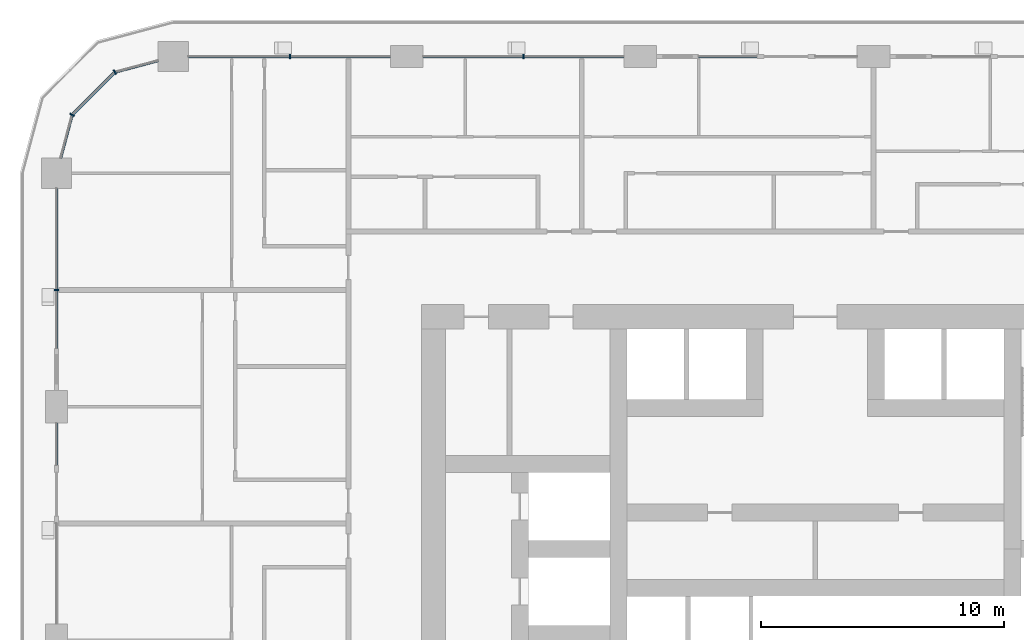
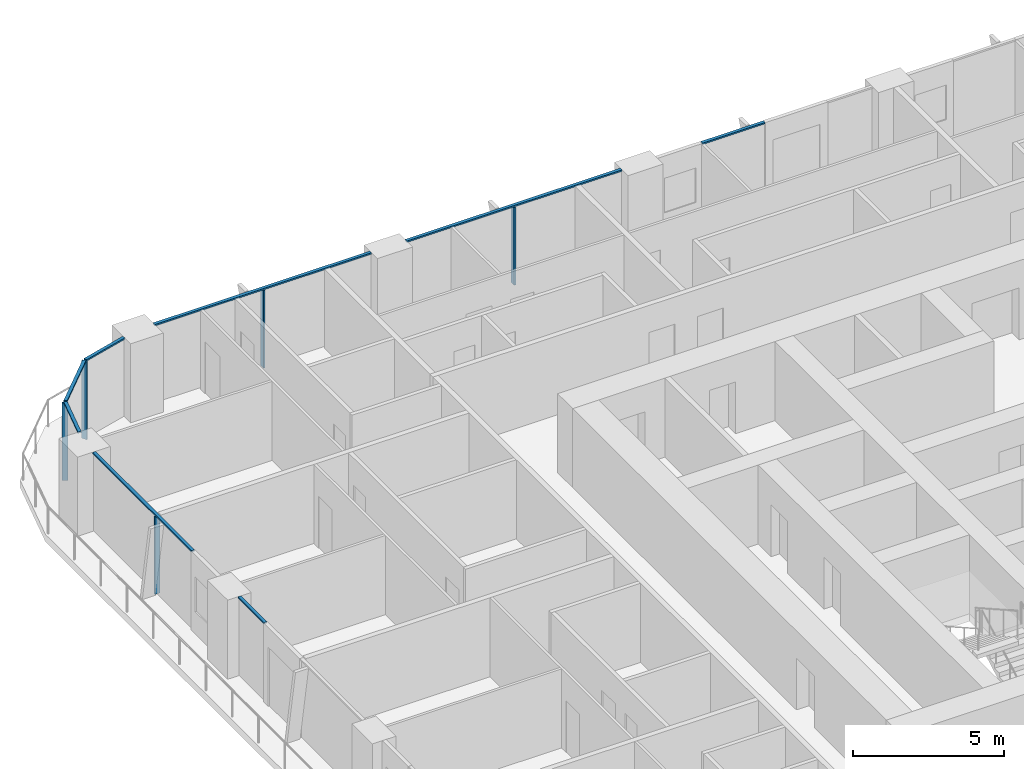
# One storey, part 5 of 21: 13 members, 6 elements without a shape of their own.
"""IFC4 building model written with IfcOpenShell, lengths in metres."""

from ifc_helpers import new_model, si_unit, direction, frame, origin, origin_2d, place, context, subcontext, project, spatial, rectangle, extrude, material, layer, layer_set, material_profile, profile_set, type_object, element, aggregate, save


model = new_model("IFC4")

# Units and contexts
model_context = context("Model", 3, precision=1e-05, world=origin(), true_north=direction((0.0, 1.0)))
body_context = subcontext(model_context, "Body", "Model", "MODEL_VIEW")
ifc_project = project(units=[si_unit("LENGTHUNIT", "METRE"), si_unit("AREAUNIT", "SQUARE_METRE"), si_unit("VOLUMEUNIT", "CUBIC_METRE"), si_unit("PLANEANGLEUNIT", "RADIAN"), si_unit("MASSUNIT", "GRAM", prefix="KILO")], contexts=[model_context])

# Site, building, storey
site_placement = place(None, origin())
site = spatial("IfcSite", under=ifc_project, at=site_placement, CompositionType="ELEMENT")
building_placement = place(site_placement, origin())
building = spatial("IfcBuilding", under=site, at=building_placement, Name="Madar Terraces", CompositionType="ELEMENT")
storey_placement = place(building_placement, frame((0.0, 0.0, 39.89990234375)))
storey = spatial("IfcBuildingStorey", under=building, at=storey_placement, Name="L09", CompositionType="ELEMENT", Elevation=39.89990234375)

# Curtain wall, member
ifc_material_1 = material(Name="Glass, ceramic frit dark grey, with black aluminium frame", Category="aluminium")
ifc_layer = layer(ifc_material_1, 0.199951171875)
ifc_layer_set = layer_set([ifc_layer], Name="Facade curtain wall, fritted glass")
curtain_wall_type = type_object("IfcCurtainWallType", Name="Facade curtain wall, fritted glass", PredefinedType="NOTDEFINED", material=ifc_layer_set)
curtain_wall_1_placement = place(storey_placement, origin())
curtain_wall_1 = element("IfcCurtainWall", 1, at=curtain_wall_1_placement, inside=storey, type_object=curtain_wall_type, Name="Outer skin curtain wall north bay 4", PredefinedType="NOTDEFINED")
ifc_material_2 = material(Name="Aluminium, black anodised", Category="aluminium")
ifc_material_profile_1 = material_profile(ifc_material_2, rectangle(XDim=0.199951171875, YDim=0.06005859375, at=origin_2d()), Name="Facade mullion 60x200")
ifc_profile_set_1 = profile_set([ifc_material_profile_1], Name="Aluminium, black anodised")
member_type_1 = type_object("IfcMemberType", Name="Facade mullion 60x200", PredefinedType="MULLION", material=ifc_profile_set_1)
member_1_placement = place(storey_placement, frame((19.199951171875, 48.0, 0.0), z_axis=(0.0, 0.0, 1.0), x_axis=(0.0, -1.0, 0.0)))
member_1 = element("IfcMember", 2, at=member_1_placement, type_object=member_type_1, Name="Mullion 1", PredefinedType="MULLION", context=body_context, shape_type="SweptSolid", body=[
    extrude(rectangle(XDim=0.199951171875, YDim=0.06005859375, at=origin_2d()), origin(), (0.0, 0.0, 1.0), 3.14013671875),
])

curtain_wall_2_placement = place(storey_placement, origin())
curtain_wall_2 = element("IfcCurtainWall", 3, at=curtain_wall_2_placement, inside=storey, type_object=curtain_wall_type, Name="Outer skin curtain wall north bay 5", PredefinedType="NOTDEFINED")
member_2_placement = place(storey_placement, frame((9.60009765625, 48.0, 0.0), z_axis=(0.0, 0.0, 1.0), x_axis=(0.0, -1.0, 0.0)))
member_2 = element("IfcMember", 4, at=member_2_placement, type_object=member_type_1, Name="Mullion 1", PredefinedType="MULLION", context=body_context, shape_type="SweptSolid", body=[
    extrude(rectangle(XDim=0.199951171875, YDim=0.06005859375, at=origin_2d()), origin(), (0.0, 0.0, 1.0), 3.14013671875),
])

curtain_wall_3_placement = place(storey_placement, origin())
curtain_wall_3 = element("IfcCurtainWall", 5, at=curtain_wall_3_placement, inside=storey, type_object=curtain_wall_type, Name="Outer skin curtain wall west bay 1", PredefinedType="NOTDEFINED")
member_3_placement = place(storey_placement, frame((0.0, 38.39990234375, 0.0), z_axis=(0.0, 0.0, 1.0), x_axis=(1.0, 0.0, 0.0)))
member_3 = element("IfcMember", 6, at=member_3_placement, type_object=member_type_1, Name="Mullion 1", PredefinedType="MULLION", context=body_context, shape_type="SweptSolid", body=[
    extrude(rectangle(XDim=0.199951171875, YDim=0.06005859375, at=origin_2d()), origin(), (0.0, 0.0, 1.0), 3.14013671875),
])

# Curtain wall, members
curtain_wall_4_placement = place(storey_placement, origin())
curtain_wall_4 = element("IfcCurtainWall", 7, at=curtain_wall_4_placement, inside=storey, type_object=curtain_wall_type, Name="Outer skin curtain wall north-west corner", PredefinedType="NOTDEFINED")
member_4_placement = place(storey_placement, frame((2.39990234375, 47.35693359375, 0.0), z_axis=(0.0, 0.0, 1.0), x_axis=(0.499999989586, -0.866025409797, 0.0)))
member_4 = element("IfcMember", 8, at=member_4_placement, type_object=member_type_1, Name="Mullion 1", PredefinedType="MULLION", context=body_context, shape_type="SweptSolid", body=[
    extrude(rectangle(XDim=0.199951171875, YDim=0.06005859375, at=origin_2d()), origin(), (0.0, 0.0, 1.0), 3.14013671875),
])
member_5_placement = place(storey_placement, frame((0.64306640625, 45.60009765625, 0.0), z_axis=(0.0, 0.0, 1.0), x_axis=(0.866025409797, -0.499999989586, 0.0)))
member_5 = element("IfcMember", 9, at=member_5_placement, type_object=member_type_1, Name="Mullion 2", PredefinedType="MULLION", context=body_context, shape_type="SweptSolid", body=[
    extrude(rectangle(XDim=0.199951171875, YDim=0.06005859375, at=origin_2d()), origin(), (0.0, 0.0, 1.0), 3.14013671875),
])

# Curtain wall, member
curtain_wall_5_placement = place(storey_placement, origin())
curtain_wall_5 = element("IfcCurtainWall", 10, at=curtain_wall_5_placement, inside=storey, type_object=curtain_wall_type, Name="Outer skin curtain wall north bay 3", PredefinedType="NOTDEFINED")
ifc_material_3 = material(Name="Aluminium, black anodised", Category="aluminium")
ifc_material_profile_2 = material_profile(ifc_material_3, rectangle(XDim=0.1201171875, YDim=0.06005859375, at=origin_2d()), Name="Facade transom 60x120")
ifc_profile_set_2 = profile_set([ifc_material_profile_2], Name="Aluminium, black anodised")
member_type_2 = type_object("IfcMemberType", Name="Facade transom 60x120", PredefinedType="USERDEFINED", material=ifc_profile_set_2)
member_6_placement = place(storey_placement, frame((28.800048828125, 48.0, 3.170166015625), z_axis=(-1.0, 0.0, 0.0), x_axis=(0.0, -1.0, 0.0)))
member_6 = element("IfcMember", 11, at=member_6_placement, type_object=member_type_2, Name="Transom 2", ObjectType="TRANSOM", PredefinedType="USERDEFINED", context=body_context, shape_type="SweptSolid", body=[
    extrude(rectangle(XDim=0.1201171875, YDim=0.06005859375, at=origin_2d()), origin(), (0.0, 0.0, 1.0), 2.400146484375),
])
aggregate(curtain_wall_5, [member_6])

# Member
member_7_placement = place(storey_placement, frame((23.324951171875, 48.0, 3.170166015625), z_axis=(-1.0, 0.0, 0.0), x_axis=(0.0, -1.0, 0.0)))
member_7 = element("IfcMember", 12, at=member_7_placement, type_object=member_type_2, Name="Transom 1", ObjectType="TRANSOM", PredefinedType="USERDEFINED", context=body_context, shape_type="SweptSolid", body=[
    extrude(rectangle(XDim=0.1201171875, YDim=0.06005859375, at=origin_2d()), origin(), (0.0, 0.0, 1.0), 8.25),
])

aggregate(curtain_wall_1, [member_1, member_7])

member_8_placement = place(storey_placement, frame((13.72509765625, 48.0, 3.170166015625), z_axis=(-1.0, 0.0, 0.0), x_axis=(0.0, -1.0, 0.0)))
member_8 = element("IfcMember", 13, at=member_8_placement, type_object=member_type_2, Name="Transom 1", ObjectType="TRANSOM", PredefinedType="USERDEFINED", context=body_context, shape_type="SweptSolid", body=[
    extrude(rectangle(XDim=0.1201171875, YDim=0.06005859375, at=origin_2d()), origin(), (0.0, 0.0, 1.0), 8.300048828125),
])

aggregate(curtain_wall_2, [member_2, member_8])

member_9_placement = place(storey_placement, frame((0.0, 42.574951171875, 3.170166015625), z_axis=(0.0, -1.0, 0.0), x_axis=(1.0, 0.0, 0.0)))
member_9 = element("IfcMember", 14, at=member_9_placement, type_object=member_type_2, Name="Transom 1", ObjectType="TRANSOM", PredefinedType="USERDEFINED", context=body_context, shape_type="SweptSolid", body=[
    extrude(rectangle(XDim=0.1201171875, YDim=0.06005859375, at=origin_2d()), origin(), (0.0, 0.0, 1.0), 6.574951171875),
])

aggregate(curtain_wall_3, [member_3, member_9])

# Curtain wall, member
curtain_wall_6_placement = place(storey_placement, origin())
curtain_wall_6 = element("IfcCurtainWall", 15, at=curtain_wall_6_placement, inside=storey, type_object=curtain_wall_type, Name="Outer skin curtain wall west bay 2", PredefinedType="NOTDEFINED")
member_10_placement = place(storey_placement, frame((0.0, 32.925048828125, 3.170166015625), z_axis=(0.0, -1.0, 0.0), x_axis=(1.0, 0.0, 0.0)))
member_10 = element("IfcMember", 16, at=member_10_placement, type_object=member_type_2, Name="Transom 1", ObjectType="TRANSOM", PredefinedType="USERDEFINED", context=body_context, shape_type="SweptSolid", body=[
    extrude(rectangle(XDim=0.1201171875, YDim=0.06005859375, at=origin_2d()), origin(), (0.0, 0.0, 1.0), 1.72509765625),
])
aggregate(curtain_wall_6, [member_10])

# Member
member_11_placement = place(storey_placement, frame((4.175048828125, 47.83251953125, 3.170166015625), z_axis=(-0.965938406667, -0.258772089929, 0.0), x_axis=(0.258772089929, -0.965938406667, 0.0)))
member_11 = element("IfcMember", 17, at=member_11_placement, type_object=member_type_2, Name="Transom 1", ObjectType="TRANSOM", PredefinedType="USERDEFINED", context=body_context, shape_type="SweptSolid", body=[
    extrude(rectangle(XDim=0.1201171875, YDim=0.06005859375, at=origin_2d()), origin(), (0.0, 0.0, 1.0), 1.8076171875),
])

member_12_placement = place(storey_placement, frame((2.37890625, 47.335693359375, 3.170166015625), z_axis=(-0.707106781187, -0.707106781187, 0.0), x_axis=(0.707106781187, -0.707106781187, 0.0)))
member_12 = element("IfcMember", 18, at=member_12_placement, type_object=member_type_2, Name="Transom 2", ObjectType="TRANSOM", PredefinedType="USERDEFINED", context=body_context, shape_type="SweptSolid", body=[
    extrude(rectangle(XDim=0.1201171875, YDim=0.06005859375, at=origin_2d()), origin(), (0.0, 0.0, 1.0), 2.4248046875),
])

member_13_placement = place(storey_placement, frame((0.63525390625, 45.571044921875, 3.170166015625), z_axis=(-0.258772089929, -0.965938406667, 0.0), x_axis=(0.965938406667, -0.258772089929, 0.0)))
member_13 = element("IfcMember", 19, at=member_13_placement, type_object=member_type_2, Name="Transom 3", ObjectType="TRANSOM", PredefinedType="USERDEFINED", context=body_context, shape_type="SweptSolid", body=[
    extrude(rectangle(XDim=0.1201171875, YDim=0.06005859375, at=origin_2d()), origin(), (0.0, 0.0, 1.0), 1.8076171875),
])

aggregate(curtain_wall_4, [member_4, member_11, member_5, member_12, member_13])

save(model, "model.ifc")
